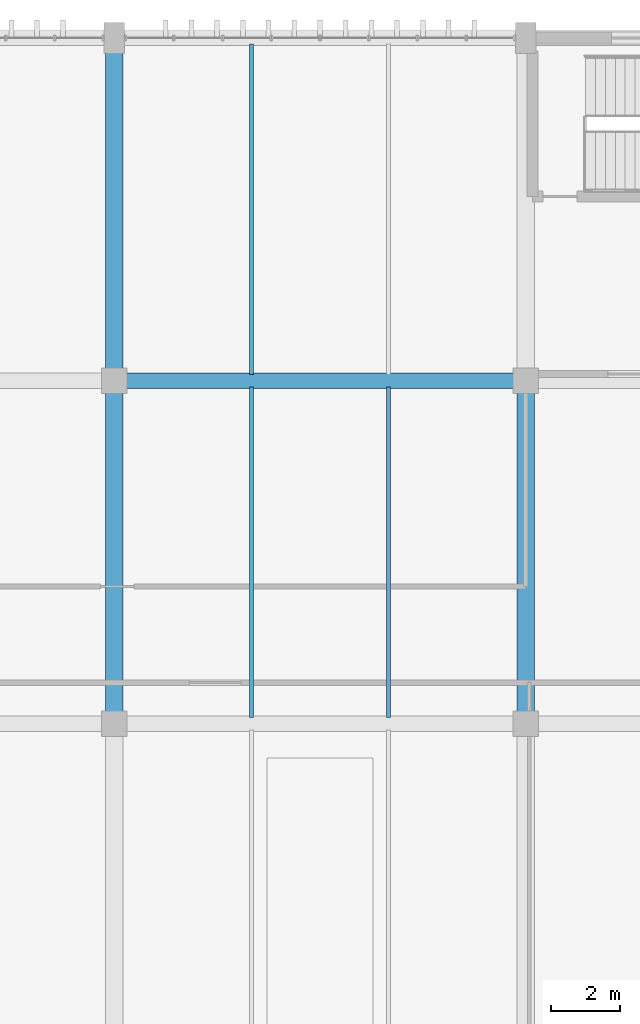
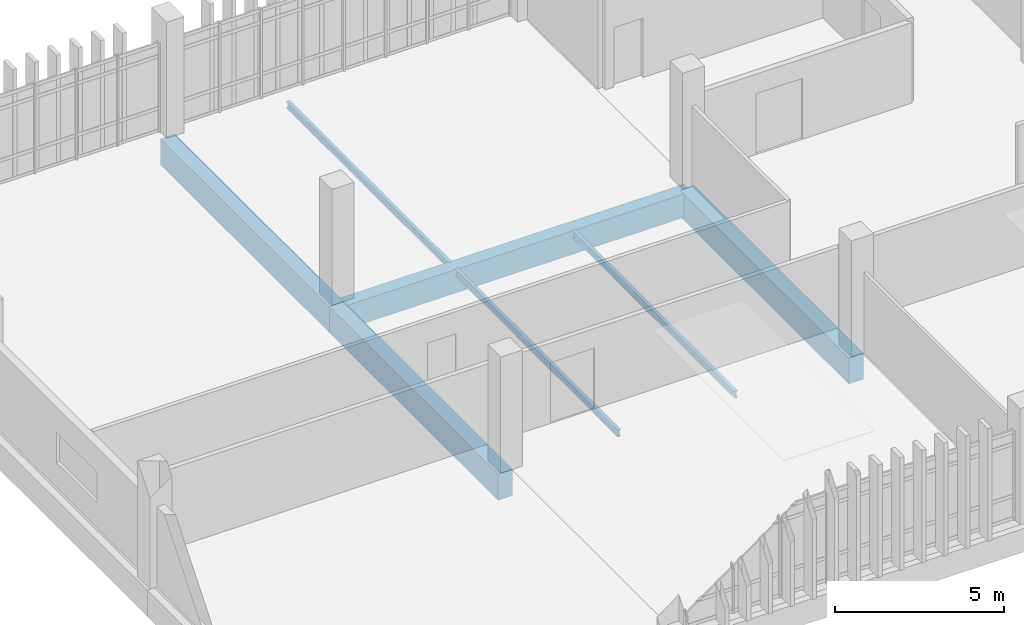
# One storey, part 31 of 111: 7 beams.
"""IFC4 building model written with IfcOpenShell, lengths in metres."""

from ifc_helpers import new_model, si_unit, direction, frame, origin, origin_2d, place, context, subcontext, project, spatial, rectangle, i_section, extrude, material, material_profile, profile_set, type_object, element, save


model = new_model("IFC4")

# Units and contexts
model_context = context("Model", 3, precision=1e-05, world=origin(), true_north=direction((0.0, 1.0)))
body_context = subcontext(model_context, "Body", "Model", "MODEL_VIEW")
ifc_project = project(units=[si_unit("LENGTHUNIT", "METRE"), si_unit("AREAUNIT", "SQUARE_METRE"), si_unit("VOLUMEUNIT", "CUBIC_METRE"), si_unit("PLANEANGLEUNIT", "RADIAN"), si_unit("MASSUNIT", "GRAM", prefix="KILO")], contexts=[model_context])

# Site, building, storey
site_placement = place(None, origin())
site = spatial("IfcSite", under=ifc_project, at=site_placement, CompositionType="ELEMENT")
building_placement = place(site_placement, origin())
building = spatial("IfcBuilding", under=site, at=building_placement, Name="Mersad Railyard Sports Hall", CompositionType="ELEMENT")
storey_placement = place(building_placement, frame((0.0, 0.0, 9.0)))
storey = spatial("IfcBuildingStorey", under=building, at=storey_placement, Name="L02", CompositionType="ELEMENT", Elevation=9.0)

# Beams
ifc_material_1 = material(Name="Concrete C40/50", Category="concrete")
ifc_material_profile_1 = material_profile(ifc_material_1, rectangle(XDim=0.449951171875, YDim=0.85009765625, at=origin_2d()), Name="RC 450x850")
ifc_profile_set_1 = profile_set([ifc_material_profile_1], Name="Concrete C40/50")
beam_type_1 = type_object("IfcBeamType", Name="STR-BM-B02", PredefinedType="BEAM", material=ifc_profile_set_1)
beam_placement = place(storey_placement, frame((55.0, 105.0, -0.72509765625), z_axis=(1.0, 0.0, 0.0), x_axis=(0.0, 1.0, 0.0)))
element("IfcBeam", 1, at=beam_placement, inside=storey, type_object=beam_type_1, Name="Beam B02-1082", PredefinedType="BEAM", context=body_context, shape_type="SweptSolid", body=[
    extrude(rectangle(XDim=0.449951171875, YDim=0.85009765625, at=origin_2d()), origin(), (0.0, 0.0, 1.0), 12.0),
])
ifc_material_2 = material(Name="Concrete C50/60", Category="concrete")
ifc_material_profile_2 = material_profile(ifc_material_2, rectangle(XDim=0.5, YDim=0.949951171875, at=origin_2d()), Name="RC 500x950")
ifc_profile_set_2 = profile_set([ifc_material_profile_2], Name="Concrete C50/60")
beam_type_2 = type_object("IfcBeamType", Name="STR-BM-B03", PredefinedType="BEAM", material=ifc_profile_set_2)
for number, where, z_axis, x_axis, name in (
    (2, (55.0, 95.0, -0.77490234375), (0.0, 1.0, 0.0), (-1.0, 0.0, 0.0), "Beam B03-1101"),
    (3, (55.0, 105.0, -0.77490234375), (0.0, 1.0, 0.0), (-1.0, 0.0, 0.0), "Beam B03-1102"),
    (4, (67.0, 95.0, -0.77490234375), (0.0, 1.0, 0.0), (-1.0, 0.0, 0.0), "Beam B03-1104"),
):
    element("IfcBeam", number, at=place(storey_placement, frame(where, z_axis=z_axis, x_axis=x_axis)), inside=storey, type_object=beam_type_2, Name=name, PredefinedType="BEAM", context=body_context, shape_type="SweptSolid", body=[
        extrude(rectangle(XDim=0.5, YDim=0.949951171875, at=origin_2d()), origin(), (0.0, 0.0, 1.0), 10.0),
    ])
ifc_material_3 = material(Name="Steel S355", Category="steel")
ifc_material_profile_3 = material_profile(ifc_material_3, i_section(OverallWidth=0.1201171875, OverallDepth=0.239990234375, WebThickness=0.006103515625, FlangeThickness=0.009765625, at=origin_2d()), Name="IPE 240")
ifc_profile_set_3 = profile_set([ifc_material_profile_3], Name="Steel S355")
beam_type_3 = type_object("IfcBeamType", Name="STR-BM-SB03", PredefinedType="BEAM", material=ifc_profile_set_3)
for number, where, z_axis, x_axis, name in (
    (5, (59.0, 95.179931640625, -0.419921875), (0.0, 1.0, 0.0), (-1.0, 0.0, 0.0), "Beam SB03-1157"),
    (6, (63.0, 95.179931640625, -0.419921875), (0.0, 1.0, 0.0), (-1.0, 0.0, 0.0), "Beam SB03-1158"),
    (7, (59.0, 105.179931640625, -0.419921875), (0.0, 1.0, 0.0), (-1.0, 0.0, 0.0), "Beam SB03-1159"),
):
    element("IfcBeam", number, at=place(storey_placement, frame(where, z_axis=z_axis, x_axis=x_axis)), inside=storey, type_object=beam_type_3, Name=name, PredefinedType="BEAM", context=body_context, shape_type="SweptSolid", body=[
        extrude(i_section(OverallWidth=0.1201171875, OverallDepth=0.239990234375, WebThickness=0.006103515625, FlangeThickness=0.009765625, at=origin_2d()), origin(), (0.0, 0.0, 1.0), 9.64013671875),
    ])

save(model, "model.ifc")
